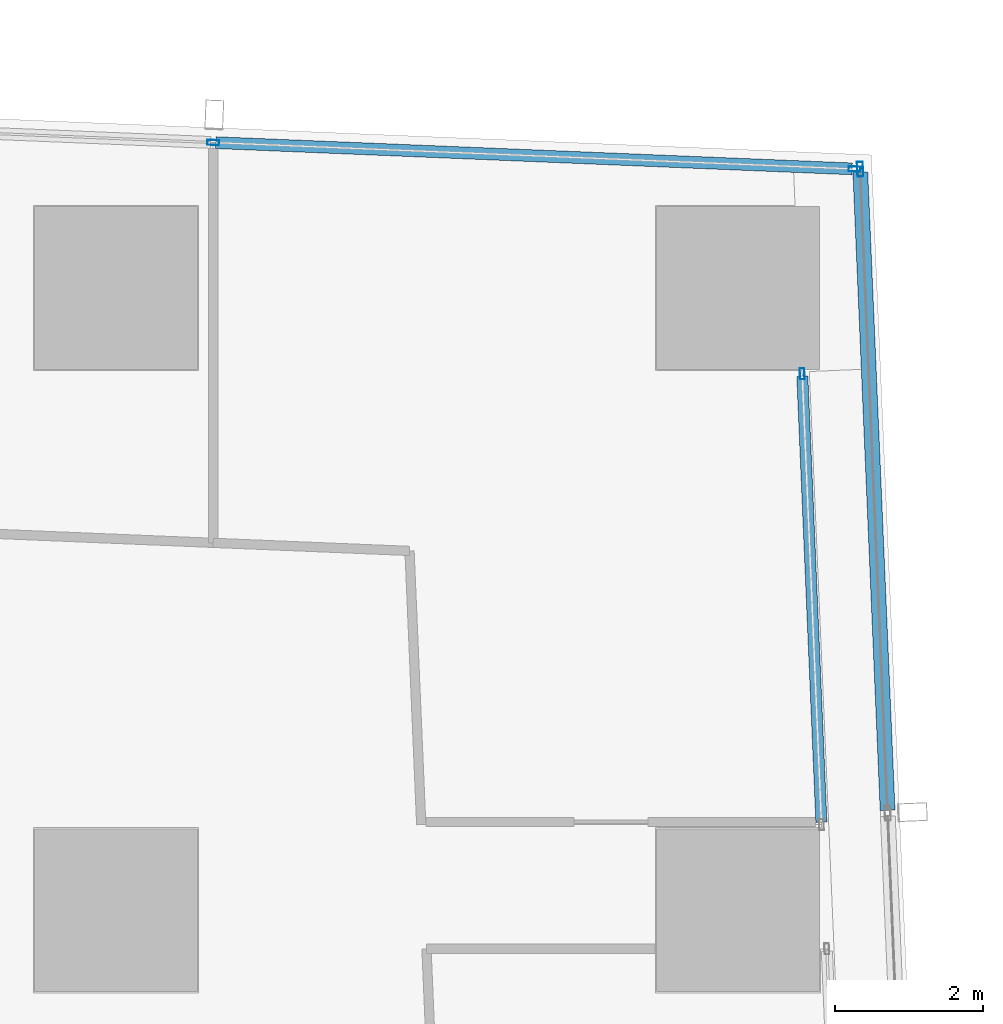
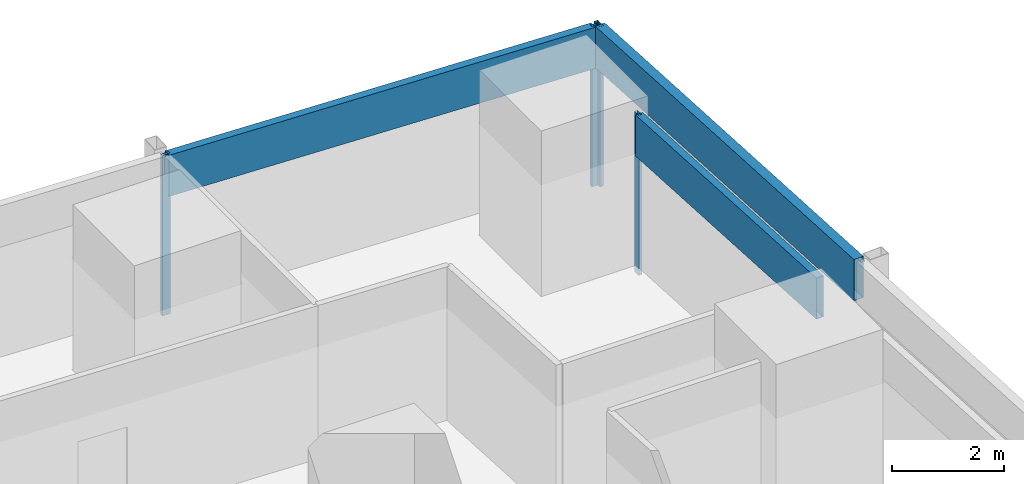
# One storey, part 23 of 44: 7 members, 3 elements without a shape of their own.
"""IFC4 building model written with IfcOpenShell, lengths in metres."""

from ifc_helpers import new_model, si_unit, direction, frame, origin, origin_2d, place, context, subcontext, project, spatial, hollow_rectangle, extrude, material, material_profile, profile_set, type_object, element, aggregate, save


model = new_model("IFC4")

# Units and contexts
model_context = context("Model", 3, precision=1e-05, world=origin(), true_north=direction((0.0, 1.0)))
body_context = subcontext(model_context, "Body", "Model", "MODEL_VIEW")
ifc_project = project(units=[si_unit("LENGTHUNIT", "METRE"), si_unit("AREAUNIT", "SQUARE_METRE"), si_unit("VOLUMEUNIT", "CUBIC_METRE"), si_unit("PLANEANGLEUNIT", "RADIAN"), si_unit("MASSUNIT", "GRAM", prefix="KILO")], contexts=[model_context])

# Site, building, storey
site_placement = place(None, origin())
site = spatial("IfcSite", under=ifc_project, at=site_placement, CompositionType="ELEMENT")
building_placement = place(site_placement, origin())
building = spatial("IfcBuilding", under=site, at=building_placement, Name="Rekha Terrace Tower", CompositionType="ELEMENT")
storey_placement = place(building_placement, frame((0.0, 0.0, 74.14990234375)))
storey = spatial("IfcBuildingStorey", under=building, at=storey_placement, Name="L18", CompositionType="ELEMENT", Elevation=74.14990234375)

# Curtain wall, members
ifc_material_1 = material(Name="Aluminium framing", Category="aluminium")
curtain_wall_type_1 = type_object("IfcCurtainWallType", Name="CW1 double skin inner glazing", PredefinedType="USERDEFINED", material=ifc_material_1)
curtain_wall_1_placement = place(storey_placement, origin())
curtain_wall_1 = element("IfcCurtainWall", 1, at=curtain_wall_1_placement, inside=storey, type_object=curtain_wall_type_1, Name="CW1 double skin inner glazing", ObjectType="DOUBLE SKIN INNER GLAZING", PredefinedType="USERDEFINED")
ifc_material_2 = material(Name="Aluminium mullion section", Category="aluminium")
ifc_material_profile_1 = material_profile(ifc_material_2, hollow_rectangle(XDim=0.06494140625, YDim=0.14990234375, WallThickness=0.00390625, at=origin_2d()), Name="AL RHS 65x150")
ifc_profile_set_1 = profile_set([ifc_material_profile_1], Name="Aluminium mullion section")
member_type_1 = type_object("IfcMemberType", Name="CW1 mullion RHS 65 x 150", PredefinedType="MULLION", material=ifc_profile_set_1)
member_1_placement = place(storey_placement, frame((68.0654296875, 57.6435546875, 0.0), z_axis=(0.0, 0.0, 1.0), x_axis=(-0.9990881069, -0.042696073026, 0.0)))
member_1 = element("IfcMember", 2, at=member_1_placement, type_object=member_type_1, Name="CW1 mullion 2", PredefinedType="MULLION", context=body_context, shape_type="SweptSolid", body=[
    extrude(hollow_rectangle(XDim=0.06494140625, YDim=0.14990234375, WallThickness=0.00390625, at=origin_2d()), origin(), (0.0, 0.0, 1.0), 3.5),
])
ifc_material_3 = material(Name="Insulated aluminium spandrel box", Category="aluminium")
ifc_material_profile_2 = material_profile(ifc_material_3, hollow_rectangle(XDim=0.14990234375, YDim=0.89990234375, WallThickness=0.0029296875, at=origin_2d()), Name="AL SPANDREL BOX 150x900")
ifc_profile_set_2 = profile_set([ifc_material_profile_2], Name="Insulated aluminium spandrel box")
member_type_2 = type_object("IfcMemberType", Name="CW1 spandrel transom 150 x 900", PredefinedType="USERDEFINED", material=ifc_profile_set_2)
member_2_placement = place(storey_placement, frame((68.32421875, 51.5888671875, 3.050048828125), z_axis=(-0.042730627731, 0.999086629604, 0.0), x_axis=(-0.999086629604, -0.042730627731, 0.0)))
member_2 = element("IfcMember", 3, at=member_2_placement, type_object=member_type_2, Name="CW1 spandrel transom 1", ObjectType="TRANSOM", PredefinedType="USERDEFINED", context=body_context, shape_type="SweptSolid", body=[
    extrude(hollow_rectangle(XDim=0.14990234375, YDim=0.89990234375, WallThickness=0.0029296875, at=origin_2d()), origin(), (0.0, 0.0, 1.0), 6.02783203125),
])
aggregate(curtain_wall_1, [member_1, member_2])

curtain_wall_type_2 = type_object("IfcCurtainWallType", Name="CW2 double skin outer glazing", PredefinedType="USERDEFINED", material=ifc_material_1)
curtain_wall_2_placement = place(storey_placement, origin())
curtain_wall_2 = element("IfcCurtainWall", 4, at=curtain_wall_2_placement, inside=storey, type_object=curtain_wall_type_2, Name="CW2 double skin outer glazing", ObjectType="DOUBLE SKIN OUTER GLAZING", PredefinedType="USERDEFINED")
ifc_material_profile_3 = material_profile(ifc_material_2, hollow_rectangle(XDim=0.080078125, YDim=0.199951171875, WallThickness=0.00390625, at=origin_2d()), Name="AL RHS 80x200")
ifc_profile_set_3 = profile_set([ifc_material_profile_3], Name="Aluminium mullion section")
member_type_3 = type_object("IfcMemberType", Name="CW2 mullion RHS 80 x 200", PredefinedType="MULLION", material=ifc_profile_set_3)
member_3_placement = place(storey_placement, frame((68.84814453125, 60.40625, 0.0), z_axis=(0.0, 0.0, 1.0), x_axis=(-0.999088106903, -0.042696072956, 0.0)))
member_3 = element("IfcMember", 5, at=member_3_placement, type_object=member_type_3, Name="CW2 mullion 5", PredefinedType="MULLION", context=body_context, shape_type="SweptSolid", body=[
    extrude(hollow_rectangle(XDim=0.080078125, YDim=0.199951171875, WallThickness=0.00390625, at=origin_2d()), origin(), (0.0, 0.0, 1.0), 3.5),
])
ifc_material_profile_4 = material_profile(ifc_material_3, hollow_rectangle(XDim=0.199951171875, YDim=0.89990234375, WallThickness=0.0029296875, at=origin_2d()), Name="AL SPANDREL BOX 200x900")
ifc_profile_set_4 = profile_set([ifc_material_profile_4], Name="Insulated aluminium spandrel box")
member_type_4 = type_object("IfcMemberType", Name="CW2 spandrel transom 200 x 900", PredefinedType="USERDEFINED", material=ifc_profile_set_4)
member_4_placement = place(storey_placement, frame((69.218017578125, 51.750244140625, 3.050048828125), z_axis=(-0.042691483974, 0.999088303002, 0.0), x_axis=(-0.999088303002, -0.042691483974, 0.0)))
member_4 = element("IfcMember", 6, at=member_4_placement, type_object=member_type_4, Name="CW2 spandrel transom 4", ObjectType="TRANSOM", PredefinedType="USERDEFINED", context=body_context, shape_type="SweptSolid", body=[
    extrude(hollow_rectangle(XDim=0.199951171875, YDim=0.89990234375, WallThickness=0.0029296875, at=origin_2d()), origin(), (0.0, 0.0, 1.0), 8.623779296875),
])
aggregate(curtain_wall_2, [member_3, member_4])

curtain_wall_type_3 = type_object("IfcCurtainWallType", Name="CW3 north unitised glazing", PredefinedType="USERDEFINED", material=ifc_material_1)
curtain_wall_3_placement = place(storey_placement, origin())
curtain_wall_3 = element("IfcCurtainWall", 7, at=curtain_wall_3_placement, inside=storey, type_object=curtain_wall_type_3, Name="CW3 unitised curtain wall", ObjectType="UNITISED CURTAIN WALL", PredefinedType="USERDEFINED")
ifc_material_profile_5 = material_profile(ifc_material_2, hollow_rectangle(XDim=0.070068359375, YDim=0.159912109375, WallThickness=0.00390625, at=origin_2d()), Name="AL RHS 70x160")
ifc_profile_set_5 = profile_set([ifc_material_profile_5], Name="Aluminium mullion section")
member_type_5 = type_object("IfcMemberType", Name="CW3 mullion RHS 70 x 160", PredefinedType="MULLION", material=ifc_profile_set_5)
member_5_placement = place(storey_placement, frame((68.77294921875, 60.4091796875, 0.0), z_axis=(0.0, 0.0, 1.0), x_axis=(-0.041173846041, -0.999151997647, 0.0)))
member_5 = element("IfcMember", 8, at=member_5_placement, type_object=member_type_5, Name="CW3 mullion 1", PredefinedType="MULLION", context=body_context, shape_type="SweptSolid", body=[
    extrude(hollow_rectangle(XDim=0.070068359375, YDim=0.159912109375, WallThickness=0.00390625, at=origin_2d()), origin(), (0.0, 0.0, 1.0), 3.5),
])
member_6_placement = place(storey_placement, frame((60.111572265625, 60.76611328125, 0.0), z_axis=(0.0, 0.0, 1.0), x_axis=(-0.041173846041, -0.999151997647, 0.0)))
member_6 = element("IfcMember", 9, at=member_6_placement, type_object=member_type_5, Name="CW3 mullion 2", PredefinedType="MULLION", context=body_context, shape_type="SweptSolid", body=[
    extrude(hollow_rectangle(XDim=0.070068359375, YDim=0.159912109375, WallThickness=0.00390625, at=origin_2d()), origin(), (0.0, 0.0, 1.0), 3.5),
])
ifc_material_profile_6 = material_profile(ifc_material_3, hollow_rectangle(XDim=0.159912109375, YDim=0.89990234375, WallThickness=0.0029296875, at=origin_2d()), Name="AL SPANDREL BOX 160x900")
ifc_profile_set_6 = profile_set([ifc_material_profile_6], Name="Insulated aluminium spandrel box")
member_type_6 = type_object("IfcMemberType", Name="CW3 spandrel transom 160 x 900", PredefinedType="USERDEFINED", material=ifc_profile_set_6)
member_7_placement = place(storey_placement, frame((68.738037109375, 60.41064453125, 3.050048828125), z_axis=(-0.99915220621, 0.041168784604, 0.0), x_axis=(-0.041168784604, -0.99915220621, 0.0)))
member_7 = element("IfcMember", 10, at=member_7_placement, type_object=member_type_6, Name="CW3 spandrel transom 1", ObjectType="TRANSOM", PredefinedType="USERDEFINED", context=body_context, shape_type="SweptSolid", body=[
    extrude(hollow_rectangle(XDim=0.159912109375, YDim=0.89990234375, WallThickness=0.0029296875, at=origin_2d()), origin(), (0.0, 0.0, 1.0), 8.598876953125),
])
aggregate(curtain_wall_3, [member_5, member_6, member_7])

save(model, "model.ifc")
